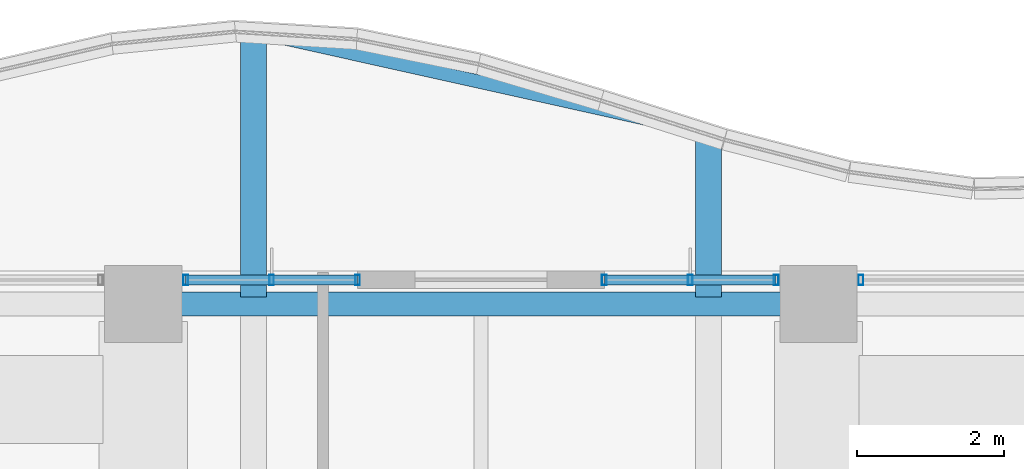
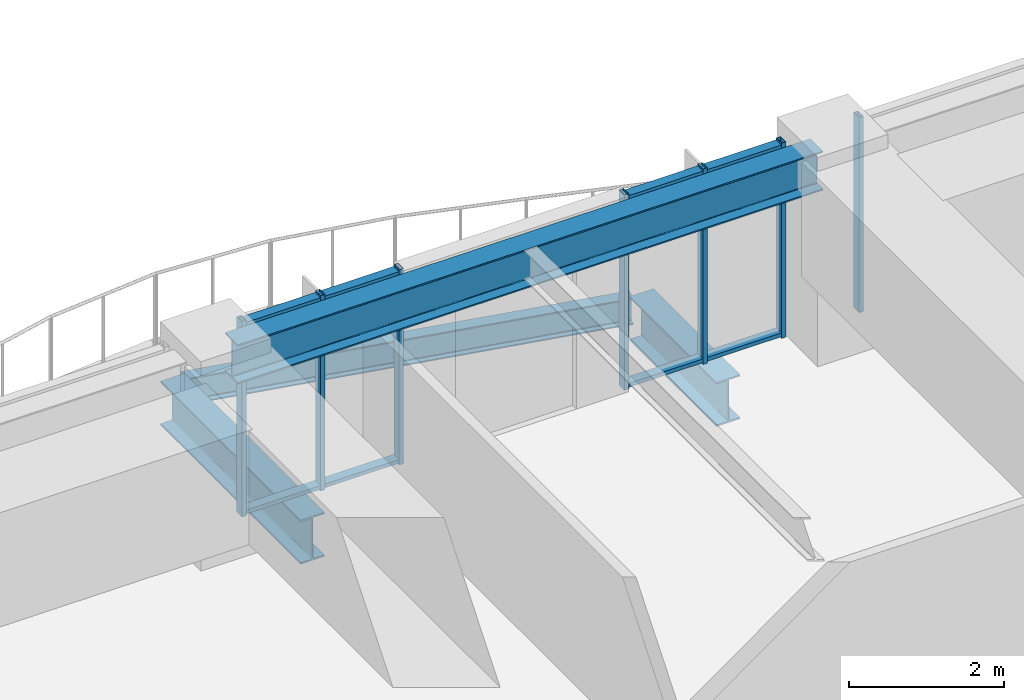
# One storey, part 21 of 34: 11 members, 4 beams, 3 elements without a shape of their own.
"""IFC4 building model written with IfcOpenShell, lengths in metres."""

from ifc_helpers import new_model, si_unit, direction, frame, origin, origin_2d, place, context, subcontext, project, spatial, hollow_rectangle, i_section, extrude, material, material_profile, profile_set, type_object, element, aggregate, save


model = new_model("IFC4")

# Units and contexts
model_context = context("Model", 3, precision=1e-05, world=origin(), true_north=direction((0.0, 1.0)))
body_context = subcontext(model_context, "Body", "Model", "MODEL_VIEW")
ifc_project = project(units=[si_unit("LENGTHUNIT", "METRE"), si_unit("AREAUNIT", "SQUARE_METRE"), si_unit("VOLUMEUNIT", "CUBIC_METRE"), si_unit("PLANEANGLEUNIT", "RADIAN"), si_unit("MASSUNIT", "GRAM", prefix="KILO")], contexts=[model_context])

# Site, building, storey
site_placement = place(None, origin())
site = spatial("IfcSite", under=ifc_project, at=site_placement, CompositionType="ELEMENT")
building_placement = place(site_placement, origin())
building = spatial("IfcBuilding", under=site, at=building_placement, Name="Kolvaren Belvedere", CompositionType="ELEMENT")
storey_placement = place(building_placement, frame((0.0, 0.0, 105.199951171875)))
storey = spatial("IfcBuildingStorey", under=building, at=storey_placement, Name="L30", CompositionType="ELEMENT", Elevation=105.199951171875)

# Beams
ifc_material_1 = material(Name="Structural steel ASTM A992 Grade 50", Category="steel")
ifc_material_profile_1 = material_profile(ifc_material_1, i_section(OverallWidth=0.35498046875, OverallDepth=0.696044921875, WebThickness=0.015380859375, FlangeThickness=0.02490234375, FilletRadius=0.02197265625, at=origin_2d()), Name="W27X146")
ifc_profile_set_1 = profile_set([ifc_material_profile_1], Name="Structural steel ASTM A992 Grade 50")
beam_type_1 = type_object("IfcBeamType", Name="BM-CANT-BAL", PredefinedType="BEAM", material=ifc_profile_set_1)
beam_1_placement = place(storey_placement, frame((-3.10009765625, 20.044921875, -0.56787109375), z_axis=(0.0, 1.0, 0.0), x_axis=(-1.0, 0.0, 0.0)))
element("IfcBeam", 1, at=beam_1_placement, inside=storey, type_object=beam_type_1, Name="L30 Planted Balcony Cantilever BAL-N-1", PredefinedType="BEAM", context=body_context, shape_type="SweptSolid", body=[
    extrude(i_section(OverallWidth=0.35498046875, OverallDepth=0.696044921875, WebThickness=0.015380859375, FlangeThickness=0.02490234375, FilletRadius=0.02197265625, at=origin_2d()), origin(), (0.0, 0.0, 1.0), 3.619140625),
])
beam_2_placement = place(storey_placement, frame((3.10009765625, 20.044921875, -0.56787109375), z_axis=(0.0, 1.0, 0.0), x_axis=(-1.0, 0.0, 0.0)))
element("IfcBeam", 2, at=beam_2_placement, inside=storey, type_object=beam_type_1, Name="L30 Planted Balcony Cantilever BAL-N-2", PredefinedType="BEAM", context=body_context, shape_type="SweptSolid", body=[
    extrude(i_section(OverallWidth=0.35498046875, OverallDepth=0.696044921875, WebThickness=0.015380859375, FlangeThickness=0.02490234375, FilletRadius=0.02197265625, at=origin_2d()), origin(), (0.0, 0.0, 1.0), 2.239990234375),
])
ifc_material_2 = material(Name="Structural steel ASTM A992 Grade 50", Category="steel")
ifc_material_profile_2 = material_profile(ifc_material_2, i_section(OverallWidth=0.180908203125, OverallDepth=0.4169921875, WebThickness=0.010986328125, FlangeThickness=0.018310546875, FilletRadius=0.013916015625, at=origin_2d()), Name="W16X57")
ifc_profile_set_2 = profile_set([ifc_material_profile_2], Name="Structural steel ASTM A992 Grade 50")
beam_type_2 = type_object("IfcBeamType", Name="BM-EDGE-W16X57", PredefinedType="BEAM", material=ifc_profile_set_2)
beam_3_placement = place(storey_placement, frame((-2.96337890625, 23.6337890625, -0.428466796875), z_axis=(0.976133101582, -0.217173129084, 0.0), x_axis=(0.217173129084, 0.976133101582, 0.0)))
element("IfcBeam", 3, at=beam_3_placement, inside=storey, type_object=beam_type_2, Name="L30 Balcony Tip Header Beam BAL-N", PredefinedType="BEAM", context=body_context, shape_type="SweptSolid", body=[
    extrude(i_section(OverallWidth=0.180908203125, OverallDepth=0.4169921875, WebThickness=0.010986328125, FlangeThickness=0.018310546875, FilletRadius=0.013916015625, at=origin_2d()), origin(), (0.0, 0.0, 1.0), 6.07177734375),
])
ifc_material_3 = material(Name="Structural steel ASTM A992 Grade 50", Category="steel")
ifc_material_profile_3 = material_profile(ifc_material_3, i_section(OverallWidth=0.324951171875, OverallDepth=0.615966796875, WebThickness=0.013916015625, FlangeThickness=0.021484375, FilletRadius=0.02001953125, at=origin_2d()), Name="W24X117")
ifc_profile_set_3 = profile_set([ifc_material_profile_3], Name="Structural steel ASTM A992 Grade 50")
beam_type_3 = type_object("IfcBeamType", Name="BM-SPAN-W24X117", PredefinedType="SPANDREL", material=ifc_profile_set_3)
beam_4_placement = place(storey_placement, frame((4.36376953125, 19.949951171875, 2.77197265625), z_axis=(-1.0, 0.0, 0.0), x_axis=(0.0, -1.0, 0.0)))
element("IfcBeam", 4, at=beam_4_placement, inside=storey, type_object=beam_type_3, Name="L30 Perimeter Spandrel N3-N2", PredefinedType="SPANDREL", context=body_context, shape_type="SweptSolid", body=[
    extrude(i_section(OverallWidth=0.324951171875, OverallDepth=0.615966796875, WebThickness=0.013916015625, FlangeThickness=0.021484375, FilletRadius=0.02001953125, at=origin_2d()), origin(), (0.0, 0.0, 1.0), 8.7275390625),
])

# Curtain wall, members
ifc_material_4 = material(Name="Anodised pale-metal aluminium AA 6063-T6", Category="aluminium")
curtain_wall_type = type_object("IfcCurtainWallType", Name="CW-Z2-MID", PredefinedType="NOTDEFINED", material=ifc_material_4)
curtain_wall_1_placement = place(storey_placement, origin())
curtain_wall_1 = element("IfcCurtainWall", 5, at=curtain_wall_1_placement, inside=storey, type_object=curtain_wall_type, Name="L30 Unitised Curtain Wall FCW-L30-N1-B2", PredefinedType="NOTDEFINED")
ifc_material_5 = material(Name="Anodised pale-metal aluminium AA 6063-T6", Category="aluminium")
ifc_material_profile_4 = material_profile(ifc_material_5, hollow_rectangle(XDim=0.06494140625, YDim=0.139892578125, WallThickness=0.00390625, at=origin_2d()), Name="ALU-MUL-140X65")
ifc_profile_set_4 = profile_set([ifc_material_profile_4], Name="Anodised pale-metal aluminium AA 6063-T6")
member_type_1 = type_object("IfcMemberType", Name="CW-MUL-140", PredefinedType="MULLION", material=ifc_profile_set_4)
member_1_placement = place(storey_placement, frame((-4.0224609375, 20.280029296875, 0.0), z_axis=(0.0, 0.0, 1.0), x_axis=(1.0, 0.0, 0.0)))
member_1 = element("IfcMember", 6, at=member_1_placement, type_object=member_type_1, Name="FCW-L30-N1-B2 Unitised Mullion 1", PredefinedType="MULLION", context=body_context, shape_type="SweptSolid", body=[
    extrude(hollow_rectangle(XDim=0.06494140625, YDim=0.139892578125, WallThickness=0.00390625, at=origin_2d()), origin(), (0.0, 0.0, 1.0), 3.080078125),
])
member_2_placement = place(storey_placement, frame((-2.851318359375, 20.280029296875, 0.0), z_axis=(0.0, 0.0, 1.0), x_axis=(1.0, 0.0, 0.0)))
member_2 = element("IfcMember", 7, at=member_2_placement, type_object=member_type_1, Name="FCW-L30-N1-B2 Unitised Mullion 2", PredefinedType="MULLION", context=body_context, shape_type="SweptSolid", body=[
    extrude(hollow_rectangle(XDim=0.06494140625, YDim=0.139892578125, WallThickness=0.00390625, at=origin_2d()), origin(), (0.0, 0.0, 1.0), 3.080078125),
])
member_3_placement = place(storey_placement, frame((-1.679931640625, 20.280029296875, 0.0), z_axis=(0.0, 0.0, 1.0), x_axis=(1.0, 0.0, 0.0)))
member_3 = element("IfcMember", 8, at=member_3_placement, type_object=member_type_1, Name="FCW-L30-N1-B2 Unitised Mullion 3", PredefinedType="MULLION", context=body_context, shape_type="SweptSolid", body=[
    extrude(hollow_rectangle(XDim=0.06494140625, YDim=0.139892578125, WallThickness=0.00390625, at=origin_2d()), origin(), (0.0, 0.0, 1.0), 3.080078125),
])

curtain_wall_2_placement = place(storey_placement, origin())
curtain_wall_2 = element("IfcCurtainWall", 9, at=curtain_wall_2_placement, inside=storey, type_object=curtain_wall_type, Name="L30 Unitised Curtain Wall FCW-L30-N2-B1", PredefinedType="NOTDEFINED")
member_4_placement = place(storey_placement, frame((1.679931640625, 20.280029296875, 0.0), z_axis=(0.0, 0.0, 1.0), x_axis=(1.0, 0.0, 0.0)))
member_4 = element("IfcMember", 10, at=member_4_placement, type_object=member_type_1, Name="FCW-L30-N2-B1 Unitised Mullion 1", PredefinedType="MULLION", context=body_context, shape_type="SweptSolid", body=[
    extrude(hollow_rectangle(XDim=0.06494140625, YDim=0.139892578125, WallThickness=0.00390625, at=origin_2d()), origin(), (0.0, 0.0, 1.0), 3.080078125),
])
member_5_placement = place(storey_placement, frame((2.851318359375, 20.280029296875, 0.0), z_axis=(0.0, 0.0, 1.0), x_axis=(1.0, 0.0, 0.0)))
member_5 = element("IfcMember", 11, at=member_5_placement, type_object=member_type_1, Name="FCW-L30-N2-B1 Unitised Mullion 2", PredefinedType="MULLION", context=body_context, shape_type="SweptSolid", body=[
    extrude(hollow_rectangle(XDim=0.06494140625, YDim=0.139892578125, WallThickness=0.00390625, at=origin_2d()), origin(), (0.0, 0.0, 1.0), 3.080078125),
])
member_6_placement = place(storey_placement, frame((4.0224609375, 20.280029296875, 0.0), z_axis=(0.0, 0.0, 1.0), x_axis=(1.0, 0.0, 0.0)))
member_6 = element("IfcMember", 12, at=member_6_placement, type_object=member_type_1, Name="FCW-L30-N2-B1 Unitised Mullion 3", PredefinedType="MULLION", context=body_context, shape_type="SweptSolid", body=[
    extrude(hollow_rectangle(XDim=0.06494140625, YDim=0.139892578125, WallThickness=0.00390625, at=origin_2d()), origin(), (0.0, 0.0, 1.0), 3.080078125),
])

# Curtain wall, member
curtain_wall_3_placement = place(storey_placement, origin())
curtain_wall_3 = element("IfcCurtainWall", 13, at=curtain_wall_3_placement, inside=storey, type_object=curtain_wall_type, Name="L30 Unitised Curtain Wall FCW-L30-N2-B2", PredefinedType="NOTDEFINED")
member_7_placement = place(storey_placement, frame((5.177490234375, 20.280029296875, 0.0), z_axis=(0.0, 0.0, 1.0), x_axis=(1.0, 0.0, 0.0)))
member_7 = element("IfcMember", 14, at=member_7_placement, type_object=member_type_1, Name="FCW-L30-N2-B2 Unitised Mullion 1", PredefinedType="MULLION", context=body_context, shape_type="SweptSolid", body=[
    extrude(hollow_rectangle(XDim=0.06494140625, YDim=0.139892578125, WallThickness=0.00390625, at=origin_2d()), origin(), (0.0, 0.0, 1.0), 3.080078125),
])
aggregate(curtain_wall_3, [member_7])

# Member
ifc_material_6 = material(Name="Anodised pale-metal aluminium AA 6063-T6", Category="aluminium")
ifc_material_profile_5 = material_profile(ifc_material_6, hollow_rectangle(XDim=0.06005859375, YDim=0.139892578125, WallThickness=0.00390625, at=origin_2d()), Name="ALU-TRN-140X60")
ifc_profile_set_5 = profile_set([ifc_material_profile_5], Name="Anodised pale-metal aluminium AA 6063-T6")
member_type_2 = type_object("IfcMemberType", Name="CW-TRN-140", PredefinedType="USERDEFINED", material=ifc_profile_set_5)
member_8_placement = place(storey_placement, frame((-4.0224609375, 20.280029296875, 0.06005859375), z_axis=(1.0, 0.0, 0.0), x_axis=(0.0, 0.0, 1.0)))
member_8 = element("IfcMember", 15, at=member_8_placement, type_object=member_type_2, Name="FCW-L30-N1-B2 Sill Transom", ObjectType="TRANSOM", PredefinedType="USERDEFINED", context=body_context, shape_type="SweptSolid", body=[
    extrude(hollow_rectangle(XDim=0.06005859375, YDim=0.139892578125, WallThickness=0.00390625, at=origin_2d()), origin(), (0.0, 0.0, 1.0), 2.342529296875),
])

member_9_placement = place(storey_placement, frame((-4.0224609375, 20.280029296875, 3.02001953125), z_axis=(1.0, 0.0, 0.0), x_axis=(0.0, 0.0, 1.0)))
member_9 = element("IfcMember", 16, at=member_9_placement, type_object=member_type_2, Name="FCW-L30-N1-B2 Head Transom", ObjectType="TRANSOM", PredefinedType="USERDEFINED", context=body_context, shape_type="SweptSolid", body=[
    extrude(hollow_rectangle(XDim=0.06005859375, YDim=0.139892578125, WallThickness=0.00390625, at=origin_2d()), origin(), (0.0, 0.0, 1.0), 2.342529296875),
])

aggregate(curtain_wall_1, [member_1, member_2, member_3, member_8, member_9])

member_10_placement = place(storey_placement, frame((1.679931640625, 20.280029296875, 0.06005859375), z_axis=(1.0, 0.0, 0.0), x_axis=(0.0, 0.0, 1.0)))
member_10 = element("IfcMember", 17, at=member_10_placement, type_object=member_type_2, Name="FCW-L30-N2-B1 Sill Transom", ObjectType="TRANSOM", PredefinedType="USERDEFINED", context=body_context, shape_type="SweptSolid", body=[
    extrude(hollow_rectangle(XDim=0.06005859375, YDim=0.139892578125, WallThickness=0.00390625, at=origin_2d()), origin(), (0.0, 0.0, 1.0), 2.342529296875),
])

member_11_placement = place(storey_placement, frame((1.679931640625, 20.280029296875, 3.02001953125), z_axis=(1.0, 0.0, 0.0), x_axis=(0.0, 0.0, 1.0)))
member_11 = element("IfcMember", 18, at=member_11_placement, type_object=member_type_2, Name="FCW-L30-N2-B1 Head Transom", ObjectType="TRANSOM", PredefinedType="USERDEFINED", context=body_context, shape_type="SweptSolid", body=[
    extrude(hollow_rectangle(XDim=0.06005859375, YDim=0.139892578125, WallThickness=0.00390625, at=origin_2d()), origin(), (0.0, 0.0, 1.0), 2.342529296875),
])

aggregate(curtain_wall_2, [member_4, member_5, member_6, member_10, member_11])

save(model, "model.ifc")
